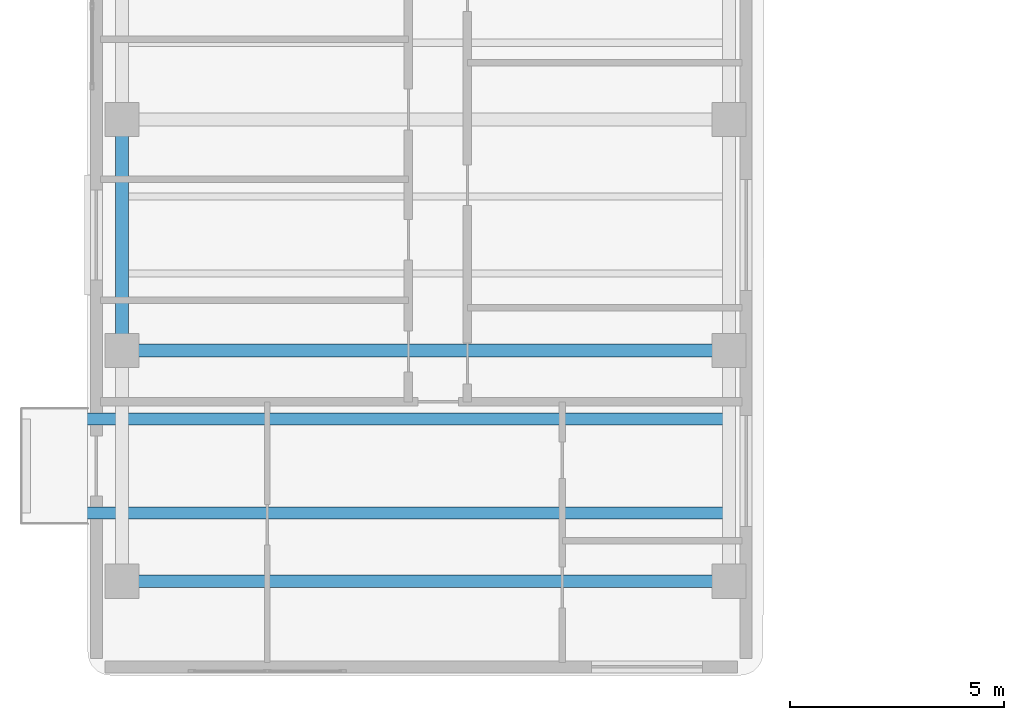
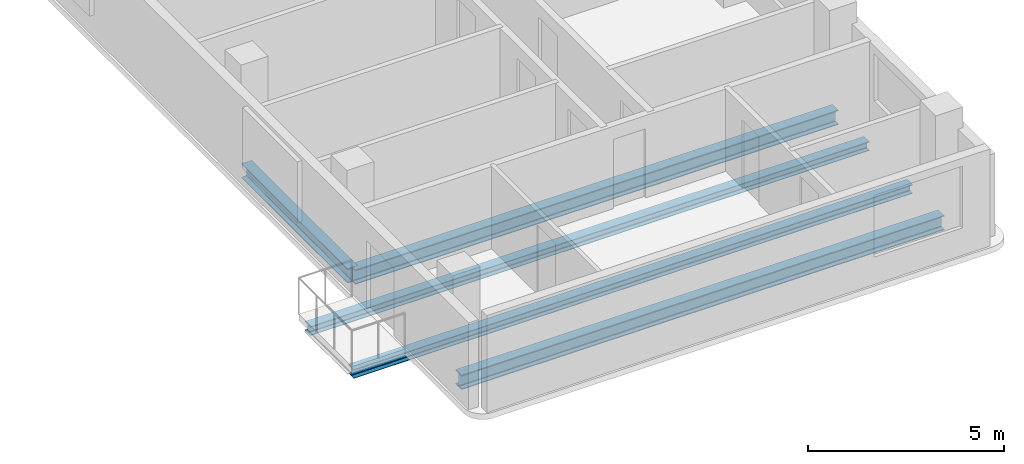
# One storey, part 3 of 11: 5 beams.
"""IFC4 building model written with IfcOpenShell, lengths in metres."""

from ifc_helpers import new_model, si_unit, direction, frame, origin, origin_2d, place, context, subcontext, project, spatial, i_section, extrude, material, material_profile, profile_set, type_object, element, save


model = new_model("IFC4")

# Units and contexts
model_context = context("Model", 3, precision=1e-05, world=origin(), true_north=direction((0.0, 1.0)))
body_context = subcontext(model_context, "Body", "Model", "MODEL_VIEW")
ifc_project = project(units=[si_unit("LENGTHUNIT", "METRE"), si_unit("AREAUNIT", "SQUARE_METRE"), si_unit("VOLUMEUNIT", "CUBIC_METRE"), si_unit("PLANEANGLEUNIT", "RADIAN"), si_unit("MASSUNIT", "GRAM", prefix="KILO")], contexts=[model_context])

# Site, building, storey
site_placement = place(None, origin())
site = spatial("IfcSite", under=ifc_project, at=site_placement, CompositionType="ELEMENT")
building_placement = place(site_placement, origin())
building = spatial("IfcBuilding", under=site, at=building_placement, Name="Kuzgunbayir Cultural Tower", CompositionType="ELEMENT")
storey_placement = place(building_placement, frame((0.0, 0.0, 237.60009765625)))
storey = spatial("IfcBuildingStorey", under=building, at=storey_placement, Name="L70", CompositionType="ELEMENT", Elevation=237.60009765625)

# Beams
ifc_material = material(Name="Steel S355J2", Category="steel")
ifc_material_profile_1 = material_profile(ifc_material, i_section(OverallWidth=0.280029296875, OverallDepth=0.280029296875, WebThickness=0.010498046875, FlangeThickness=0.01806640625, FilletRadius=0.02392578125, at=origin_2d()), Name="HEB 280")
ifc_profile_set_1 = profile_set([ifc_material_profile_1], Name="Steel S355J2")
beam_type_1 = type_object("IfcBeamType", Name="BM-BAL-HEB280", PredefinedType="BEAM", material=ifc_profile_set_1)
for number, where, z_axis, x_axis, name in (
    (1, (3.159912109375, 14.199951171875, -0.340087890625), (1.0, 0.0, 0.0), (0.0, 1.0, 0.0), "L70 Balcony Outrigger Beam BAL-L70-WA1.1"),
    (2, (3.159912109375, 16.39990234375, -0.340087890625), (1.0, 0.0, 0.0), (0.0, 1.0, 0.0), "L70 Balcony Outrigger Beam BAL-L70-WA1.2"),
):
    element("IfcBeam", number, at=place(storey_placement, frame(where, z_axis=z_axis, x_axis=x_axis)), inside=storey, type_object=beam_type_1, Name=name, PredefinedType="BEAM", context=body_context, shape_type="SweptSolid", body=[
        extrude(i_section(OverallWidth=0.280029296875, OverallDepth=0.280029296875, WebThickness=0.010498046875, FlangeThickness=0.01806640625, FilletRadius=0.02392578125, at=origin_2d()), origin(), (0.0, 0.0, 1.0), 16.440185546875),
    ])
ifc_material_profile_2 = material_profile(ifc_material, i_section(OverallWidth=0.300048828125, OverallDepth=0.449951171875, WebThickness=0.013916015625, FlangeThickness=0.02587890625, FilletRadius=0.027099609375, at=origin_2d()), Name="HEB 450")
ifc_profile_set_2 = profile_set([ifc_material_profile_2], Name="Steel S355J2")
beam_type_2 = type_object("IfcBeamType", Name="BM-EXT-HEB450", PredefinedType="BEAM", material=ifc_profile_set_2)
beam_placement = place(storey_placement, frame((5.39990234375, 18.0, -0.41015625), z_axis=(0.0, 1.0, 0.0), x_axis=(-1.0, 0.0, 0.0)))
element("IfcBeam", 3, at=beam_placement, inside=storey, type_object=beam_type_2, Name="L70 Wing A West Girder 2", PredefinedType="BEAM", context=body_context, shape_type="SweptSolid", body=[
    extrude(i_section(OverallWidth=0.300048828125, OverallDepth=0.449951171875, WebThickness=0.013916015625, FlangeThickness=0.02587890625, FilletRadius=0.027099609375, at=origin_2d()), origin(), (0.0, 0.0, 1.0), 5.39990234375),
])
ifc_material_profile_3 = material_profile(ifc_material, i_section(OverallWidth=0.300048828125, OverallDepth=0.449951171875, WebThickness=0.013916015625, FlangeThickness=0.02587890625, FilletRadius=0.027099609375, at=origin_2d()), Name="HEB 450")
ifc_profile_set_3 = profile_set([ifc_material_profile_3], Name="Steel S355J2")
beam_type_3 = type_object("IfcBeamType", Name="BM-GIR-HEB450", PredefinedType="BEAM", material=ifc_profile_set_3)
for number, where, z_axis, x_axis, name in (
    (4, (5.39990234375, 12.60009765625, -0.41015625), (1.0, 0.0, 0.0), (0.0, 1.0, 0.0), "L70 Wing A Transverse Girder 1"),
    (5, (5.39990234375, 18.0, -0.41015625), (1.0, 0.0, 0.0), (0.0, 1.0, 0.0), "L70 Wing A Transverse Girder 2"),
):
    element("IfcBeam", number, at=place(storey_placement, frame(where, z_axis=z_axis, x_axis=x_axis)), inside=storey, type_object=beam_type_3, Name=name, PredefinedType="BEAM", context=body_context, shape_type="SweptSolid", body=[
        extrude(i_section(OverallWidth=0.300048828125, OverallDepth=0.449951171875, WebThickness=0.013916015625, FlangeThickness=0.02587890625, FilletRadius=0.027099609375, at=origin_2d()), origin(), (0.0, 0.0, 1.0), 14.2001953125),
    ])

save(model, "model.ifc")
